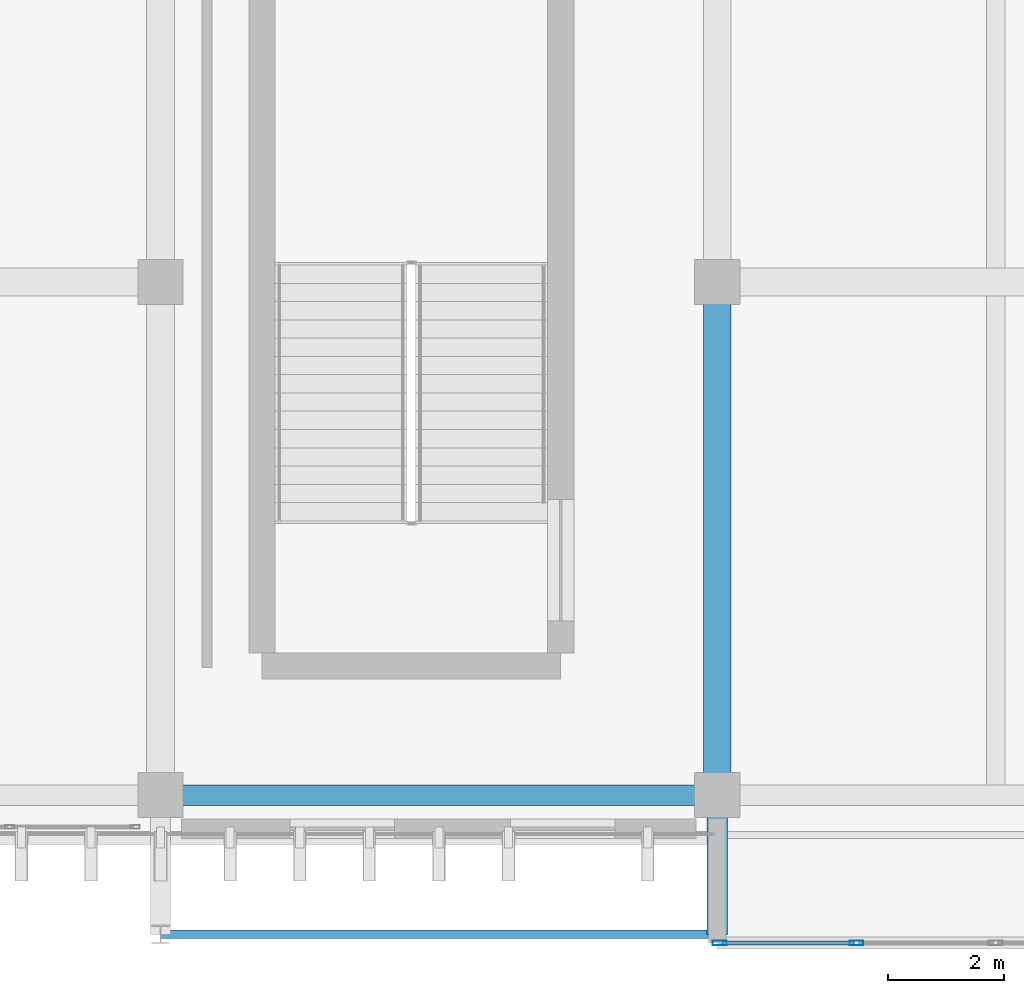
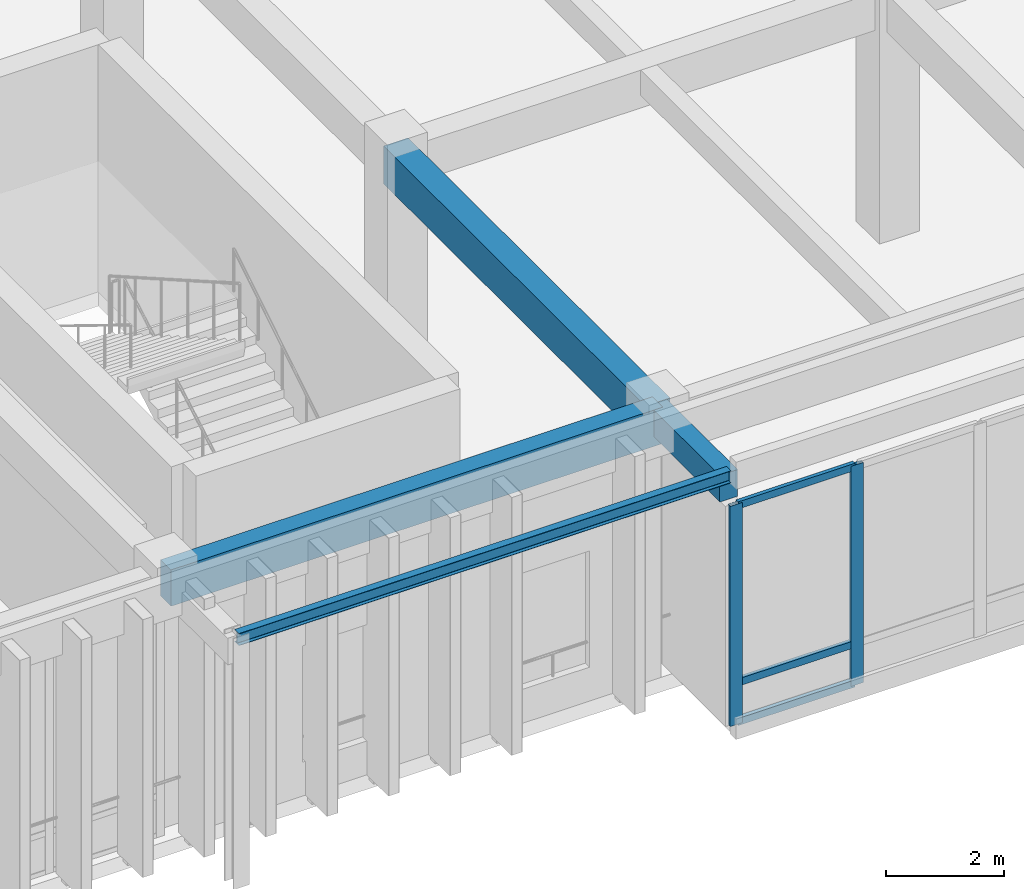
# One storey, part 22 of 134: 5 members, 4 beams, 1 element without a shape of its own.
"""IFC4 building model written with IfcOpenShell, lengths in metres."""

import ifcopenshell
import ifcopenshell.guid

model = None  # the IFC model being written
_history = None  # IfcOwnerHistory: only IFC2X3 demands one
_inside = {}  # id of a spatial element -> (the spatial element, [elements in it])
_under = {}  # id of a project, library or spatial element -> (it, [spatial elements below it])
_declared = {}  # id of a project -> (the project, [libraries it declares])
_typed = {}  # id of a type object -> (the type object, [elements of that type])
_made_of = {}  # id of a material, layer set ... -> (it, [elements and type objects made of it])


def new_model(schema):
    """Start an empty IFC model of exactly this schema.

    Asked for "IFC4X3", IfcOpenShell would pick the latest addendum, in which some entities
    have other attributes; the version numbers below select the first issue.
    IFC2X3 requires an IfcOwnerHistory on every rooted entity: one is made here for all.
    """
    global model, _history
    if schema == "IFC4X3":
        model = ifcopenshell.file(schema_version=(4, 3, 0, 0))
    else:
        model = ifcopenshell.file(schema=schema)
    _inside.clear()
    _under.clear()
    _declared.clear()
    _typed.clear()
    _made_of.clear()
    _history = None
    if model.schema == "IFC2X3":
        org = make("IfcOrganization", Name="unknown")
        user = make(
            "IfcPersonAndOrganization",
            ThePerson=make("IfcPerson", FamilyName="unknown"),
            TheOrganization=org,
        )
        app = make(
            "IfcApplication",
            ApplicationDeveloper=org,
            Version="unknown",
            ApplicationFullName="unknown",
            ApplicationIdentifier="unknown",
        )
        _history = make(
            "IfcOwnerHistory",
            OwningUser=user,
            OwningApplication=app,
            ChangeAction="ADDED",
            CreationDate=0,
        )
    return model


def make(cls, **values):
    """One entity of the class cls with the attributes given. An attribute that is None is left unset."""
    return model.create_entity(
        cls, **{name: value for name, value in values.items() if value is not None}
    )


def rooted(cls, **values):
    """An entity with a GlobalId (a new one), such as an element, a storey or a relation."""
    return make(cls, GlobalId=ifcopenshell.guid.new(), OwnerHistory=_history, **values)


def si_unit(unit_type, name, prefix=None):
    """IfcSIUnit, for example si_unit("LENGTHUNIT", "METRE", prefix="MILLI")."""
    return make("IfcSIUnit", UnitType=unit_type, Prefix=prefix, Name=name)


def assignment(units):
    """IfcUnitAssignment: the units of a project."""
    return None if units is None else make("IfcUnitAssignment", Units=units)


def point(xyz):
    """IfcCartesianPoint."""
    return None if xyz is None else make("IfcCartesianPoint", Coordinates=xyz)


def direction(xyz):
    """IfcDirection."""
    return None if xyz is None else make("IfcDirection", DirectionRatios=xyz)


def frame(location, z_axis=None, x_axis=None):
    """IfcAxis2Placement3D, a coordinate frame: its origin and axes. An axis left out is left unset."""
    return make(
        "IfcAxis2Placement3D",
        Location=point(location),
        Axis=direction(z_axis),
        RefDirection=direction(x_axis),
    )


def frame_2d(location, x_axis=None):
    """IfcAxis2Placement2D, a coordinate frame in the plane: its origin and x axis."""
    return make(
        "IfcAxis2Placement2D", Location=point(location), RefDirection=direction(x_axis)
    )


def origin():
    """The frame at (0, 0, 0) with its axes left unset."""
    return frame((0.0, 0.0, 0.0))


def origin_2d():
    """The frame at (0, 0) in the plane with its x axis left unset."""
    return frame_2d((0.0, 0.0))


def place(relative_to, where):
    """IfcLocalPlacement: puts the frame where relative to a parent placement (None: the world)."""
    return make(
        "IfcLocalPlacement", PlacementRelTo=relative_to, RelativePlacement=where
    )


def context(
    kind, dimensions, precision=None, world=None, true_north=None, identifier=None
):
    """IfcGeometricRepresentationContext, for example the 3D "Model" context."""
    return make(
        "IfcGeometricRepresentationContext",
        ContextIdentifier=identifier,
        ContextType=kind,
        CoordinateSpaceDimension=dimensions,
        Precision=precision,
        WorldCoordinateSystem=world,
        TrueNorth=true_north,
    )


def subcontext(parent, identifier, kind, view, scale=None):
    """IfcGeometricRepresentationSubContext, for example "Body" below "Model"."""
    return make(
        "IfcGeometricRepresentationSubContext",
        ContextIdentifier=identifier,
        ContextType=kind,
        ParentContext=parent,
        TargetScale=scale,
        TargetView=view,
    )


def project(units=None, contexts=None):
    """IfcProject with its units and contexts."""
    return rooted(
        "IfcProject",
        Name="project",
        RepresentationContexts=contexts,
        UnitsInContext=assignment(units),
    )


def spatial(cls, under=None, at=None, **own):
    """A site, building, storey or space (cls), placed at a placement, below another one or the project."""
    s = rooted(cls, ObjectPlacement=at, **own)
    if under is not None:
        _under.setdefault(under.id(), (under, []))[1].append(s)
    return s


def profile(cls, at=None, kind="AREA", **sizes):
    """A parametric profile (cls). Its sizes go by their IFC names, for example OverallWidth=200.0."""
    return make(cls, ProfileType=kind, Position=at, **sizes)


def rectangle(**sizes):
    """IfcRectangleProfileDef."""
    return profile("IfcRectangleProfileDef", **sizes)


def hollow_rectangle(**sizes):
    """IfcRectangleHollowProfileDef."""
    return profile("IfcRectangleHollowProfileDef", **sizes)


def i_section(**sizes):
    """IfcIShapeProfileDef."""
    return profile("IfcIShapeProfileDef", **sizes)


def extrude(swept, where, along, depth):
    """IfcExtrudedAreaSolid: the profile swept, set in the frame where, extruded along a direction by depth."""
    return make(
        "IfcExtrudedAreaSolid",
        SweptArea=swept,
        Position=where,
        ExtrudedDirection=direction(along),
        Depth=depth,
    )


def shape(context_of_items, identifier, shape_type, items):
    """IfcShapeRepresentation: the items that make up one representation, for example the "Body"."""
    return make(
        "IfcShapeRepresentation",
        ContextOfItems=context_of_items,
        RepresentationIdentifier=identifier,
        RepresentationType=shape_type,
        Items=items,
    )


def material(Name=None, Category=None):
    """IfcMaterial."""
    return make("IfcMaterial", Name=Name, Category=Category)


def layer(
    of_material, thickness, ventilated=None, Name=None, Category=None, Priority=None
):
    """IfcMaterialLayer: one layer of a wall or slab, of a material (None: an air gap)."""
    return make(
        "IfcMaterialLayer",
        Material=of_material,
        LayerThickness=thickness,
        IsVentilated=ventilated,
        Name=Name,
        Category=Category,
        Priority=Priority,
    )


def layer_set(layers, Name=None):
    """IfcMaterialLayerSet."""
    return make("IfcMaterialLayerSet", MaterialLayers=layers, LayerSetName=Name)


def material_profile(
    of_material, cross_section, Name=None, Category=None, Priority=None
):
    """IfcMaterialProfile: a cross section and its material."""
    return make(
        "IfcMaterialProfile",
        Name=Name,
        Material=of_material,
        Profile=cross_section,
        Priority=Priority,
        Category=Category,
    )


def profile_set(profiles, Name=None, composite=None):
    """IfcMaterialProfileSet."""
    return make(
        "IfcMaterialProfileSet",
        Name=Name,
        MaterialProfiles=profiles,
        CompositeProfile=composite,
    )


def made_of(thing, what):
    """Note that an element or type object is made of a material, layer set ...; save() writes the relation."""
    if what is not None:
        _made_of.setdefault(what.id(), (what, []))[1].append(thing)
    return thing


def type_object(cls, material=None, **own):
    """A type object (cls), such as IfcWallType, which elements share."""
    return made_of(rooted(cls, **own), material)


def element(
    cls,
    number,
    at=None,
    inside=None,
    cuts=None,
    type_object=None,
    material=None,
    context=None,
    identifier="Body",
    shape_type=None,
    held_by="IfcProductDefinitionShape",
    body=None,
    shapes=None,
    **own,
):
    """One element of the class cls, such as IfcWall. Its Tag is "e" and its number.

    at: its placement. inside: the storey or other place that contains it. cuts: it is an
    opening in that element (IfcRelVoidsElement). A single representation is given by context,
    identifier, shape_type and body (its items); several are given by shapes. held_by: the class
    of the entity that holds the representations. save() writes the other relations.
    """
    e = rooted(cls, Tag="e%d" % number, ObjectPlacement=at, **own)
    if body is not None:
        shapes = [shape(context, identifier, shape_type, body)]
    if shapes is not None:
        e.Representation = make(held_by, Representations=shapes)
    if inside is not None:
        _inside.setdefault(inside.id(), (inside, []))[1].append(e)
    if cuts is not None:
        rooted(
            "IfcRelVoidsElement", RelatingBuildingElement=cuts, RelatedOpeningElement=e
        )
    if type_object is not None:
        _typed.setdefault(type_object.id(), (type_object, []))[1].append(e)
    return made_of(e, material)


def aggregate(whole, parts):
    """IfcRelAggregates: a whole, such as a stair, and the parts it consists of."""
    return rooted("IfcRelAggregates", RelatingObject=whole, RelatedObjects=parts)


def save(model, path):
    """Write the relations noted so far, then the file.

    IfcRelAggregates (storeys below a building ...), IfcRelContainedInSpatialStructure (elements
    in a storey), IfcRelDefinesByType, IfcRelAssociatesMaterial and IfcRelDeclares: one each for
    every whole, place, type object, material and project.
    """
    for whole, parts in _under.values():
        aggregate(whole, parts)
    for where, things in _inside.values():
        rooted(
            "IfcRelContainedInSpatialStructure",
            RelatedElements=things,
            RelatingStructure=where,
        )
    for kind, things in _typed.values():
        rooted("IfcRelDefinesByType", RelatedObjects=things, RelatingType=kind)
    for what, things in _made_of.values():
        rooted("IfcRelAssociatesMaterial", RelatedObjects=things, RelatingMaterial=what)
    for by, libraries in _declared.values():
        rooted("IfcRelDeclares", RelatingContext=by, RelatedDefinitions=libraries)
    model.write(path)


model = new_model("IFC4")

# Units and contexts
model_context = context("Model", 3, precision=1e-05, world=origin(), true_north=direction((0.0, 1.0)))
body_context = subcontext(model_context, "Body", "Model", "MODEL_VIEW")
ifc_project = project(units=[si_unit("LENGTHUNIT", "METRE"), si_unit("AREAUNIT", "SQUARE_METRE"), si_unit("VOLUMEUNIT", "CUBIC_METRE"), si_unit("PLANEANGLEUNIT", "RADIAN"), si_unit("MASSUNIT", "GRAM", prefix="KILO")], contexts=[model_context])

# Site, building, storey
site_placement = place(None, origin())
site = spatial("IfcSite", under=ifc_project, at=site_placement, CompositionType="ELEMENT")
building_placement = place(site_placement, origin())
building = spatial("IfcBuilding", under=site, at=building_placement, Name="Nakhvara Creek Congress Hotel", CompositionType="ELEMENT")
storey_placement = place(building_placement, frame((0.0, 0.0, 6.0)))
storey = spatial("IfcBuildingStorey", under=building, at=storey_placement, Name="L01", CompositionType="ELEMENT", Elevation=6.0)

# Beams
ifc_material_1 = material(Name="Concrete C40/50", Category="concrete")
ifc_material_profile_1 = material_profile(ifc_material_1, rectangle(XDim=0.35009765625, YDim=0.550048828125, at=origin_2d()), Name="RC-BM 350x550", Category="LoadBearing")
ifc_profile_set_1 = profile_set([ifc_material_profile_1], Name="Concrete C40/50")
beam_type_1 = type_object("IfcBeamType", Name="BM-CANT-BOX", PredefinedType="BEAM", material=ifc_profile_set_1)
beam_1_placement = place(storey_placement, frame((124.800048828125, 0.75, 4.824951171875), z_axis=(0.0, -1.0, 0.0), x_axis=(1.0, 0.0, 0.0)))
element("IfcBeam", 1, at=beam_1_placement, inside=storey, type_object=beam_type_1, Name="Foyer Box Outrigger Beam PBOX-L02-S1-124", PredefinedType="BEAM", context=body_context, shape_type="SweptSolid", body=[
    extrude(rectangle(XDim=0.35009765625, YDim=0.550048828125, at=origin_2d()), origin(), (0.0, 0.0, 1.0), 2.39990234375),
])
ifc_material_profile_2 = material_profile(ifc_material_1, rectangle(XDim=0.47998046875, YDim=0.780029296875, at=origin_2d()), Name="RC-BM 480x780", Category="LoadBearing")
ifc_profile_set_2 = profile_set([ifc_material_profile_2], Name="Concrete C40/50")
beam_type_2 = type_object("IfcBeamType", Name="BM-RC-480X780", PredefinedType="BEAM", material=ifc_profile_set_2)
beam_2_placement = place(storey_placement, frame((124.800048828125, 0.75, 4.7099609375), z_axis=(0.0, 1.0, 0.0), x_axis=(-1.0, 0.0, 0.0)))
element("IfcBeam", 2, at=beam_2_placement, inside=storey, type_object=beam_type_2, Name="Beam B13-L01-1217", PredefinedType="BEAM", context=body_context, shape_type="SweptSolid", body=[
    extrude(rectangle(XDim=0.47998046875, YDim=0.780029296875, at=origin_2d()), origin(), (0.0, 0.0, 1.0), 8.85009765625),
])
ifc_material_profile_3 = material_profile(ifc_material_1, rectangle(XDim=0.35009765625, YDim=0.75, at=origin_2d()), Name="RC-SPANDREL 350x750", Category="LoadBearing")
ifc_profile_set_3 = profile_set([ifc_material_profile_3], Name="Concrete C40/50")
beam_type_3 = type_object("IfcBeamType", Name="BM-SPN-350X750", PredefinedType="SPANDREL", material=ifc_profile_set_3)
beam_3_placement = place(storey_placement, frame((115.199951171875, 0.75, 4.72509765625), z_axis=(1.0, 0.0, 0.0), x_axis=(0.0, 1.0, 0.0)))
element("IfcBeam", 3, at=beam_3_placement, inside=storey, type_object=beam_type_3, Name="Beam SP1-L01-1204", PredefinedType="SPANDREL", context=body_context, shape_type="SweptSolid", body=[
    extrude(rectangle(XDim=0.35009765625, YDim=0.75, at=origin_2d()), origin(), (0.0, 0.0, 1.0), 9.60009765625),
])
ifc_material_2 = material(Name="Steel S355J2", Category="steel")
ifc_material_profile_4 = material_profile(ifc_material_2, i_section(OverallWidth=0.14599609375, OverallDepth=0.25146484375, WebThickness=0.006103515625, FlangeThickness=0.008544921875, FilletRadius=0.007568359375, at=origin_2d()), Name="UB 254x146x31", Category="LoadBearing")
ifc_profile_set_4 = profile_set([ifc_material_profile_4], Name="Steel S355J2")
beam_type_4 = type_object("IfcBeamType", Name="BM-ST-UB254", PredefinedType="SPANDREL", material=ifc_profile_set_4)
beam_4_placement = place(storey_placement, frame((115.199951171875, -1.64990234375, 5.05419921875), z_axis=(1.0, 0.0, 0.0), x_axis=(0.0, 1.0, 0.0)))
element("IfcBeam", 4, at=beam_4_placement, inside=storey, type_object=beam_type_4, Name="Foyer Box Edge Spandrel PBOX-L02-S1", PredefinedType="SPANDREL", context=body_context, shape_type="SweptSolid", body=[
    extrude(i_section(OverallWidth=0.14599609375, OverallDepth=0.25146484375, WebThickness=0.006103515625, FlangeThickness=0.008544921875, FilletRadius=0.007568359375, at=origin_2d()), origin(), (0.0, 0.0, 1.0), 9.60009765625),
])

# Curtain wall, members
ifc_material_3 = material(Name="Bronze-anodised aluminium AW-6063-T6 and double-silver low-E glass", Category="aluminium")
ifc_layer = layer(ifc_material_3, 0.219970703125)
ifc_layer_set = layer_set([ifc_layer], Name="Bronze-anodised aluminium AW-6063-T6 and double-silver low-E glass")
curtain_wall_type = type_object("IfcCurtainWallType", Name="CW-BOX-PROJ", PredefinedType="USERDEFINED", material=ifc_layer_set)
curtain_wall_placement = place(storey_placement, origin())
curtain_wall = element("IfcCurtainWall", 5, at=curtain_wall_placement, inside=storey, type_object=curtain_wall_type, Name="Curtain Wall CW075", ObjectType="UNITISED", PredefinedType="USERDEFINED")
ifc_material_4 = material(Name="Bronze-anodised aluminium AW-6063-T6", Category="aluminium")
ifc_material_profile_5 = material_profile(ifc_material_4, hollow_rectangle(XDim=0.080078125, YDim=0.239990234375, WallThickness=0.0048828125, at=origin_2d()), Name="ALU-MULL 80x240x5", Category="LoadBearing")
ifc_profile_set_5 = profile_set([ifc_material_profile_5], Name="Bronze-anodised aluminium AW-6063-T6")
member_type_1 = type_object("IfcMemberType", Name="CW-MULL-240", PredefinedType="MULLION", material=ifc_profile_set_5)
member_1_placement = place(storey_placement, frame((127.199951171875, -1.800048828125, 0.0), z_axis=(0.0, 0.0, 1.0), x_axis=(0.0, -1.0, 0.0)))
member_1 = element("IfcMember", 6, at=member_1_placement, type_object=member_type_1, Name="CW075 mullion 4", PredefinedType="MULLION", context=body_context, shape_type="SweptSolid", body=[
    extrude(hollow_rectangle(XDim=0.080078125, YDim=0.239990234375, WallThickness=0.0048828125, at=origin_2d()), origin(), (0.0, 0.0, 1.0), 4.5419921875),
])
member_2_placement = place(storey_placement, frame((124.840087890625, -1.800048828125, 0.0), z_axis=(0.0, 0.0, 1.0), x_axis=(0.0, -1.0, 0.0)))
member_2 = element("IfcMember", 7, at=member_2_placement, type_object=member_type_1, Name="CW075 mullion 5", PredefinedType="MULLION", context=body_context, shape_type="SweptSolid", body=[
    extrude(hollow_rectangle(XDim=0.080078125, YDim=0.239990234375, WallThickness=0.0048828125, at=origin_2d()), origin(), (0.0, 0.0, 1.0), 4.5419921875),
])
ifc_material_profile_6 = material_profile(ifc_material_4, hollow_rectangle(XDim=0.074951171875, YDim=0.14990234375, WallThickness=0.00390625, at=origin_2d()), Name="ALU-TRAN 75x150x4", Category="LoadBearing")
ifc_profile_set_6 = profile_set([ifc_material_profile_6], Name="Bronze-anodised aluminium AW-6063-T6")
member_type_2 = type_object("IfcMemberType", Name="CW-TRAN-150", PredefinedType="USERDEFINED", material=ifc_profile_set_6)
member_3_placement = place(storey_placement, frame((127.159912109375, -1.800048828125, 0.03759765625), z_axis=(-1.0, 0.0, 0.0), x_axis=(0.0, -1.0, 0.0)))
member_3 = element("IfcMember", 8, at=member_3_placement, type_object=member_type_2, Name="CW075 transom 4.1", ObjectType="TRANSOM", PredefinedType="USERDEFINED", context=body_context, shape_type="SweptSolid", body=[
    extrude(hollow_rectangle(XDim=0.074951171875, YDim=0.14990234375, WallThickness=0.00390625, at=origin_2d()), origin(), (0.0, 0.0, 1.0), 2.280029296875),
])
member_4_placement = place(storey_placement, frame((127.159912109375, -1.800048828125, 0.85009765625), z_axis=(-1.0, 0.0, 0.0), x_axis=(0.0, -1.0, 0.0)))
member_4 = element("IfcMember", 9, at=member_4_placement, type_object=member_type_2, Name="CW075 transom 4.2", ObjectType="TRANSOM", PredefinedType="USERDEFINED", context=body_context, shape_type="SweptSolid", body=[
    extrude(hollow_rectangle(XDim=0.074951171875, YDim=0.14990234375, WallThickness=0.00390625, at=origin_2d()), origin(), (0.0, 0.0, 1.0), 2.280029296875),
])
member_5_placement = place(storey_placement, frame((127.159912109375, -1.800048828125, 4.50439453125), z_axis=(-1.0, 0.0, 0.0), x_axis=(0.0, -1.0, 0.0)))
member_5 = element("IfcMember", 10, at=member_5_placement, type_object=member_type_2, Name="CW075 transom 4.3", ObjectType="TRANSOM", PredefinedType="USERDEFINED", context=body_context, shape_type="SweptSolid", body=[
    extrude(hollow_rectangle(XDim=0.074951171875, YDim=0.14990234375, WallThickness=0.00390625, at=origin_2d()), origin(), (0.0, 0.0, 1.0), 2.280029296875),
])
aggregate(curtain_wall, [member_1, member_2, member_3, member_4, member_5])

save(model, "model.ifc")
